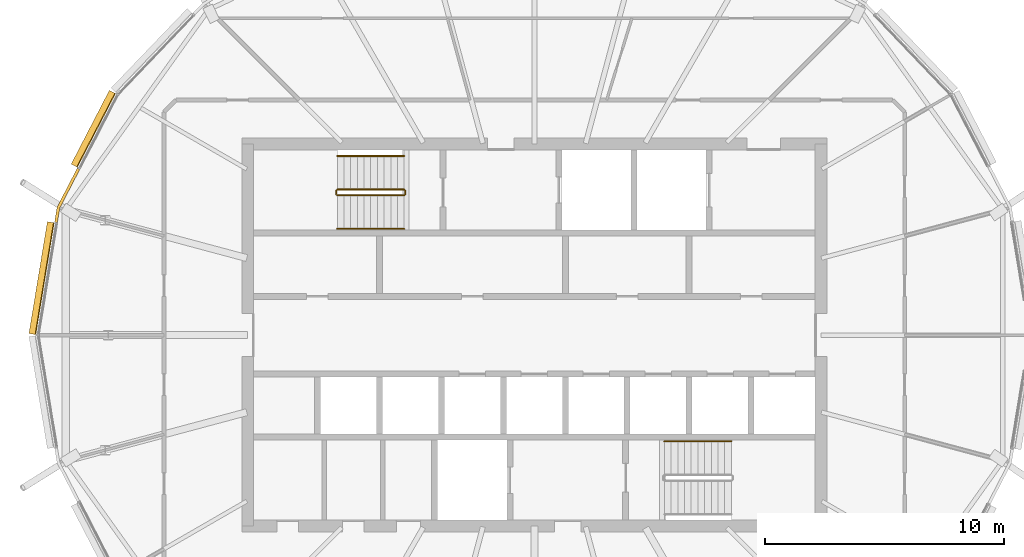
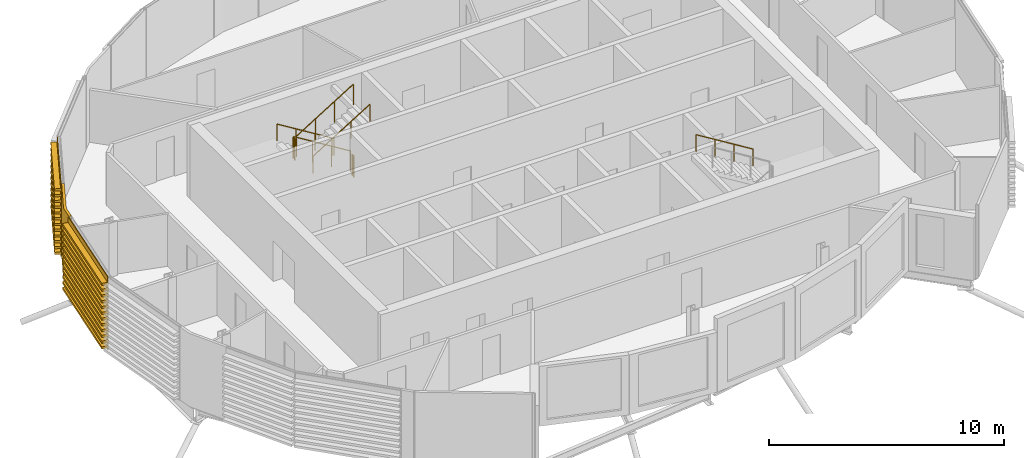
# One storey, part 30 of 35: 7 railings, 3 coverings.
"""IFC4 building model written with IfcOpenShell, lengths in metres."""

from ifc_helpers import new_model, si_unit, direction, frame, origin, origin_2d, place, context, subcontext, project, spatial, polyline, circle, outline, extrude, material, layer, layer_set, material_profile, profile_set, type_object, element, save


model = new_model("IFC4")

# Units and contexts
model_context = context("Model", 3, precision=1e-05, world=origin(), true_north=direction((0.0, 1.0)))
body_context = subcontext(model_context, "Body", "Model", "MODEL_VIEW")
ifc_project = project(units=[si_unit("LENGTHUNIT", "METRE"), si_unit("AREAUNIT", "SQUARE_METRE"), si_unit("VOLUMEUNIT", "CUBIC_METRE"), si_unit("PLANEANGLEUNIT", "RADIAN"), si_unit("MASSUNIT", "GRAM", prefix="KILO")], contexts=[model_context])

# Site, building, storey
site_placement = place(None, origin())
site = spatial("IfcSite", under=ifc_project, at=site_placement, CompositionType="ELEMENT")
building_placement = place(site_placement, origin())
building = spatial("IfcBuilding", under=site, at=building_placement, Name="Rimbun Link Towers", CompositionType="ELEMENT")
storey_placement = place(building_placement, frame((0.0, 0.0, 225.699951171875)))
storey = spatial("IfcBuildingStorey", under=building, at=storey_placement, Name="L55", CompositionType="ELEMENT", Elevation=225.699951171875)

# Covering
ifc_material_1 = material(Name="Terracotta", Category="masonry")
ifc_layer = layer(ifc_material_1, 0.1201171875)
ifc_layer_set = layer_set([ifc_layer], Name="LINK PIER terracotta cladding 120")
covering_type_1 = type_object("IfcCoveringType", Name="LINK PIER terracotta cladding 120", PredefinedType="CLADDING", material=ifc_layer_set)
covering_1_placement = place(storey_placement, origin())
element("IfcCovering", 1, at=covering_1_placement, inside=storey, type_object=covering_type_1, Name="LINK PIER cladding", PredefinedType="CLADDING", context=body_context, shape_type="SweptSolid", body=[
    extrude(outline(polyline([(-51.718017578125, 4.711669921875), (-51.6171875, 5.323486328125), (-50.781005859375, 6.93994140625), (-50.887451171875, 6.994873046875), (-51.732666015625, 5.361572265625), (-51.83642578125, 4.731201171875), (-51.718017578125, 4.711669921875)])), origin(), (0.0, 0.0, 1.0), 3.800048828125),
])

# Railings
ifc_material_2 = material(Name="Stainless steel grade 316", Category="steel")
railing_type_1 = type_object("IfcRailingType", Name="Stair guard", PredefinedType="GUARDRAIL", material=ifc_material_2)
railing_1_placement = place(storey_placement, frame((-37.199951171875, 6.10009765625, 0.1728515625)))
element("IfcRailing", 2, at=railing_1_placement, inside=storey, type_object=railing_type_1, Name="L55 ST1 stair guard 1", PredefinedType="GUARDRAIL", context=body_context, shape_type="SweptSolid", body=[
    extrude(circle(Radius=0.02392578125, at=origin_2d()), frame((0.0, 0.0, 1.076171875), z_axis=(-0.851089632645, 0.0, 0.525020415988), x_axis=(0.0, -1.0, 0.0)), (0.0, 0.0, 1.0), 3.2900390625),
    extrude(circle(Radius=0.02099609375, at=origin_2d()), origin(), (0.0, 0.0, 1.0), 1.052001953125),
    extrude(circle(Radius=0.02099609375, at=origin_2d()), frame((-0.933349609375, 0.0, 0.57568359375)), (0.0, 0.0, 1.0), 1.052001953125),
    extrude(circle(Radius=0.02099609375, at=origin_2d()), frame((-1.86669921875, 0.0, 1.151611328125)), (0.0, 0.0, 1.0), 1.052001953125),
    extrude(circle(Radius=0.02099609375, at=origin_2d()), frame((-2.800048828125, 0.0, 1.727294921875)), (0.0, 0.0, 1.0), 1.052001953125),
])
railing_2_placement = place(storey_placement, frame((-40.050048828125, 6.050048828125, 1.900146484375)))
element("IfcRailing", 3, at=railing_2_placement, inside=storey, type_object=railing_type_1, Name="L55 ST1 stair guard 2", PredefinedType="GUARDRAIL", context=body_context, shape_type="SweptSolid", body=[
    extrude(circle(Radius=0.02392578125, at=origin_2d()), frame((0.0, 0.0, 1.076171875), z_axis=(0.0, -1.0, 0.0), x_axis=(1.0, 0.0, 0.0)), (0.0, 0.0, 1.0), 0.150146484375),
    extrude(circle(Radius=0.02099609375, at=origin_2d()), origin(), (0.0, 0.0, 1.0), 1.052001953125),
    extrude(circle(Radius=0.02099609375, at=origin_2d()), frame((0.0, -0.150146484375, 0.0)), (0.0, 0.0, 1.0), 1.052001953125),
])
railing_3_placement = place(storey_placement, frame((-40.0, 5.85009765625, 2.07275390625)))
element("IfcRailing", 4, at=railing_3_placement, inside=storey, type_object=railing_type_1, Name="L55 ST1 stair guard 3", PredefinedType="GUARDRAIL", context=body_context, shape_type="SweptSolid", body=[
    extrude(circle(Radius=0.02392578125, at=origin_2d()), frame((0.0, 0.0, 1.076171875), z_axis=(0.851089632645, 0.0, 0.525020415988), x_axis=(0.0, 1.0, 0.0)), (0.0, 0.0, 1.0), 3.2900390625),
    extrude(circle(Radius=0.02099609375, at=origin_2d()), origin(), (0.0, 0.0, 1.0), 1.052001953125),
    extrude(circle(Radius=0.02099609375, at=origin_2d()), frame((0.933349609375, 0.0, 0.57568359375)), (0.0, 0.0, 1.0), 1.052001953125),
    extrude(circle(Radius=0.02099609375, at=origin_2d()), frame((1.86669921875, 0.0, 1.151611328125)), (0.0, 0.0, 1.0), 1.052001953125),
    extrude(circle(Radius=0.02099609375, at=origin_2d()), frame((2.800048828125, 0.0, 1.727294921875)), (0.0, 0.0, 1.0), 1.052001953125),
])
railing_4_placement = place(storey_placement, frame((-37.14990234375, 6.050048828125, 0.0)))
element("IfcRailing", 5, at=railing_4_placement, inside=storey, type_object=railing_type_1, Name="L55 ST1 stair guard 4", PredefinedType="GUARDRAIL", context=body_context, shape_type="SweptSolid", body=[
    extrude(circle(Radius=0.02392578125, at=origin_2d()), frame((0.0, 0.0, 1.076171875), z_axis=(0.0, -1.0, 0.0), x_axis=(1.0, 0.0, 0.0)), (0.0, 0.0, 1.0), 0.150146484375),
    extrude(circle(Radius=0.02099609375, at=origin_2d()), origin(), (0.0, 0.0, 1.0), 1.052001953125),
    extrude(circle(Radius=0.02099609375, at=origin_2d()), frame((0.0, -0.150146484375, 0.0)), (0.0, 0.0, 1.0), 1.052001953125),
])
ifc_material_3 = material(Name="Stainless steel grade 316", Category="steel")
railing_type_2 = type_object("IfcRailingType", Name="Stair handrail", PredefinedType="HANDRAIL", material=ifc_material_3)
railing_5_placement = place(storey_placement, frame((-37.199951171875, 7.5, 0.1728515625)))
element("IfcRailing", 6, at=railing_5_placement, inside=storey, type_object=railing_type_2, Name="L55 ST1 stair handrail 1", PredefinedType="HANDRAIL", context=body_context, shape_type="SweptSolid", body=[
    extrude(circle(Radius=0.02392578125, at=origin_2d()), frame((0.0, 0.0, 0.8759765625), z_axis=(-0.851089632645, 0.0, 0.525020415988), x_axis=(0.0, -1.0, 0.0)), (0.0, 0.0, 1.0), 3.2900390625),
    extrude(circle(Radius=0.02099609375, at=origin_2d()), origin(), (0.0, 0.0, 1.0), 0.851806640625),
    extrude(circle(Radius=0.02099609375, at=origin_2d()), frame((-0.933349609375, 0.0, 0.57568359375)), (0.0, 0.0, 1.0), 0.851806640625),
    extrude(circle(Radius=0.02099609375, at=origin_2d()), frame((-1.86669921875, 0.0, 1.151611328125)), (0.0, 0.0, 1.0), 0.851806640625),
    extrude(circle(Radius=0.02099609375, at=origin_2d()), frame((-2.800048828125, 0.0, 1.727294921875)), (0.0, 0.0, 1.0), 0.851806640625),
])
railing_6_placement = place(storey_placement, frame((-40.0, 4.449951171875, 2.07275390625)))
element("IfcRailing", 7, at=railing_6_placement, inside=storey, type_object=railing_type_2, Name="L55 ST1 stair handrail 2", PredefinedType="HANDRAIL", context=body_context, shape_type="SweptSolid", body=[
    extrude(circle(Radius=0.02392578125, at=origin_2d()), frame((0.0, 0.0, 0.8759765625), z_axis=(0.851089632645, 0.0, 0.525020415988), x_axis=(0.0, 1.0, 0.0)), (0.0, 0.0, 1.0), 3.2900390625),
    extrude(circle(Radius=0.02099609375, at=origin_2d()), origin(), (0.0, 0.0, 1.0), 0.851806640625),
    extrude(circle(Radius=0.02099609375, at=origin_2d()), frame((0.933349609375, 0.0, 0.57568359375)), (0.0, 0.0, 1.0), 0.851806640625),
    extrude(circle(Radius=0.02099609375, at=origin_2d()), frame((1.86669921875, 0.0, 1.151611328125)), (0.0, 0.0, 1.0), 0.851806640625),
    extrude(circle(Radius=0.02099609375, at=origin_2d()), frame((2.800048828125, 0.0, 1.727294921875)), (0.0, 0.0, 1.0), 0.851806640625),
])
railing_7_placement = place(storey_placement, frame((-23.5, -4.449951171875, 2.07275390625)))
element("IfcRailing", 8, at=railing_7_placement, inside=storey, type_object=railing_type_2, Name="L55 ST2 stair handrail 2", PredefinedType="HANDRAIL", context=body_context, shape_type="SweptSolid", body=[
    extrude(circle(Radius=0.02392578125, at=origin_2d()), frame((0.0, 0.0, 0.8759765625), z_axis=(-0.851089632645, 0.0, 0.525020415988), x_axis=(0.0, -1.0, 0.0)), (0.0, 0.0, 1.0), 3.2900390625),
    extrude(circle(Radius=0.02099609375, at=origin_2d()), origin(), (0.0, 0.0, 1.0), 0.851806640625),
    extrude(circle(Radius=0.02099609375, at=origin_2d()), frame((-0.933349609375, 0.0, 0.57568359375)), (0.0, 0.0, 1.0), 0.851806640625),
    extrude(circle(Radius=0.02099609375, at=origin_2d()), frame((-1.86669921875, 0.0, 1.151611328125)), (0.0, 0.0, 1.0), 0.851806640625),
    extrude(circle(Radius=0.02099609375, at=origin_2d()), frame((-2.800048828125, 0.0, 1.727294921875)), (0.0, 0.0, 1.0), 0.851806640625),
])

# Coverings
ifc_material_4 = material(Name="Terracotta", Category="masonry")
ifc_material_profile = material_profile(ifc_material_4, outline(polyline([(0.123046875, 0.0), (0.1630859375, 0.0), (0.1630859375, 0.10009765625), (0.423095703125, 0.10009765625), (0.423095703125, 0.219970703125), (0.1630859375, 0.219970703125), (0.1630859375, 0.39990234375), (0.423095703125, 0.39990234375), (0.423095703125, 0.52001953125), (0.1630859375, 0.52001953125), (0.1630859375, 0.699951171875), (0.423095703125, 0.699951171875), (0.423095703125, 0.820068359375), (0.1630859375, 0.820068359375), (0.1630859375, 1.0), (0.423095703125, 1.0), (0.423095703125, 1.1201171875), (0.1630859375, 1.1201171875), (0.1630859375, 1.300048828125), (0.423095703125, 1.300048828125), (0.423095703125, 1.419921875), (0.1630859375, 1.419921875), (0.1630859375, 1.60009765625), (0.423095703125, 1.60009765625), (0.423095703125, 1.719970703125), (0.1630859375, 1.719970703125), (0.1630859375, 1.89990234375), (0.423095703125, 1.89990234375), (0.423095703125, 2.02001953125), (0.1630859375, 2.02001953125), (0.1630859375, 2.199951171875), (0.423095703125, 2.199951171875), (0.423095703125, 2.320068359375), (0.1630859375, 2.320068359375), (0.1630859375, 2.5), (0.423095703125, 2.5), (0.423095703125, 2.6201171875), (0.1630859375, 2.6201171875), (0.1630859375, 2.800048828125), (0.423095703125, 2.800048828125), (0.423095703125, 2.919921875), (0.1630859375, 2.919921875), (0.1630859375, 3.10009765625), (0.423095703125, 3.10009765625), (0.423095703125, 3.219970703125), (0.1630859375, 3.219970703125), (0.1630859375, 3.39990234375), (0.423095703125, 3.39990234375), (0.423095703125, 3.52001953125), (0.1630859375, 3.52001953125), (0.1630859375, 3.800048828125), (0.123046875, 3.800048828125), (0.123046875, 0.0)])), Name="BAGUETTE 120X300")
ifc_profile_set = profile_set([ifc_material_profile], Name="Terracotta")
covering_type_2 = type_object("IfcCoveringType", Name="TERRACOTTA BAGUETTE 120X300 H3800", PredefinedType="CLADDING", material=ifc_profile_set)
covering_2_placement = place(storey_placement, frame((-50.76708984375, 6.966552734375, 0.0), z_axis=(0.459577547562, 0.888137645738, 0.0), x_axis=(-0.888137645738, 0.459577547562, 0.0)))
element("IfcCovering", 9, at=covering_2_placement, inside=storey, type_object=covering_type_2, Name="TERRACOTTA BAGUETTE", PredefinedType="CLADDING", context=body_context, shape_type="SweptSolid", body=[
    extrude(outline(polyline([(0.123046875, 0.0), (0.1630859375, 0.0), (0.1630859375, 0.10009765625), (0.423095703125, 0.10009765625), (0.423095703125, 0.219970703125), (0.1630859375, 0.219970703125), (0.1630859375, 0.39990234375), (0.423095703125, 0.39990234375), (0.423095703125, 0.52001953125), (0.1630859375, 0.52001953125), (0.1630859375, 0.699951171875), (0.423095703125, 0.699951171875), (0.423095703125, 0.820068359375), (0.1630859375, 0.820068359375), (0.1630859375, 1.0), (0.423095703125, 1.0), (0.423095703125, 1.1201171875), (0.1630859375, 1.1201171875), (0.1630859375, 1.300048828125), (0.423095703125, 1.300048828125), (0.423095703125, 1.419921875), (0.1630859375, 1.419921875), (0.1630859375, 1.60009765625), (0.423095703125, 1.60009765625), (0.423095703125, 1.719970703125), (0.1630859375, 1.719970703125), (0.1630859375, 1.89990234375), (0.423095703125, 1.89990234375), (0.423095703125, 2.02001953125), (0.1630859375, 2.02001953125), (0.1630859375, 2.199951171875), (0.423095703125, 2.199951171875), (0.423095703125, 2.320068359375), (0.1630859375, 2.320068359375), (0.1630859375, 2.5), (0.423095703125, 2.5), (0.423095703125, 2.6201171875), (0.1630859375, 2.6201171875), (0.1630859375, 2.800048828125), (0.423095703125, 2.800048828125), (0.423095703125, 2.919921875), (0.1630859375, 2.919921875), (0.1630859375, 3.10009765625), (0.423095703125, 3.10009765625), (0.423095703125, 3.219970703125), (0.1630859375, 3.219970703125), (0.1630859375, 3.39990234375), (0.423095703125, 3.39990234375), (0.423095703125, 3.52001953125), (0.1630859375, 3.52001953125), (0.1630859375, 3.800048828125), (0.123046875, 3.800048828125), (0.123046875, 0.0)])), origin(), (0.0, 0.0, 1.0), 3.47900390625),
])
covering_3_placement = place(storey_placement, frame((-52.49267578125, 0.0, 0.0), z_axis=(0.16227934514, 0.986744857671, 0.0), x_axis=(-0.986744857671, 0.16227934514, 0.0)))
element("IfcCovering", 10, at=covering_3_placement, inside=storey, type_object=covering_type_2, Name="TERRACOTTA BAGUETTE", PredefinedType="CLADDING", context=body_context, shape_type="SweptSolid", body=[
    extrude(outline(polyline([(0.123046875, 0.0), (0.1630859375, 0.0), (0.1630859375, 0.10009765625), (0.423095703125, 0.10009765625), (0.423095703125, 0.219970703125), (0.1630859375, 0.219970703125), (0.1630859375, 0.39990234375), (0.423095703125, 0.39990234375), (0.423095703125, 0.52001953125), (0.1630859375, 0.52001953125), (0.1630859375, 0.699951171875), (0.423095703125, 0.699951171875), (0.423095703125, 0.820068359375), (0.1630859375, 0.820068359375), (0.1630859375, 1.0), (0.423095703125, 1.0), (0.423095703125, 1.1201171875), (0.1630859375, 1.1201171875), (0.1630859375, 1.300048828125), (0.423095703125, 1.300048828125), (0.423095703125, 1.419921875), (0.1630859375, 1.419921875), (0.1630859375, 1.60009765625), (0.423095703125, 1.60009765625), (0.423095703125, 1.719970703125), (0.1630859375, 1.719970703125), (0.1630859375, 1.89990234375), (0.423095703125, 1.89990234375), (0.423095703125, 2.02001953125), (0.1630859375, 2.02001953125), (0.1630859375, 2.199951171875), (0.423095703125, 2.199951171875), (0.423095703125, 2.320068359375), (0.1630859375, 2.320068359375), (0.1630859375, 2.5), (0.423095703125, 2.5), (0.423095703125, 2.6201171875), (0.1630859375, 2.6201171875), (0.1630859375, 2.800048828125), (0.423095703125, 2.800048828125), (0.423095703125, 2.919921875), (0.1630859375, 2.919921875), (0.1630859375, 3.10009765625), (0.423095703125, 3.10009765625), (0.423095703125, 3.219970703125), (0.1630859375, 3.219970703125), (0.1630859375, 3.39990234375), (0.423095703125, 3.39990234375), (0.423095703125, 3.52001953125), (0.1630859375, 3.52001953125), (0.1630859375, 3.800048828125), (0.123046875, 3.800048828125), (0.123046875, 0.0)])), origin(), (0.0, 0.0, 1.0), 4.7451171875),
])

save(model, "model.ifc")
